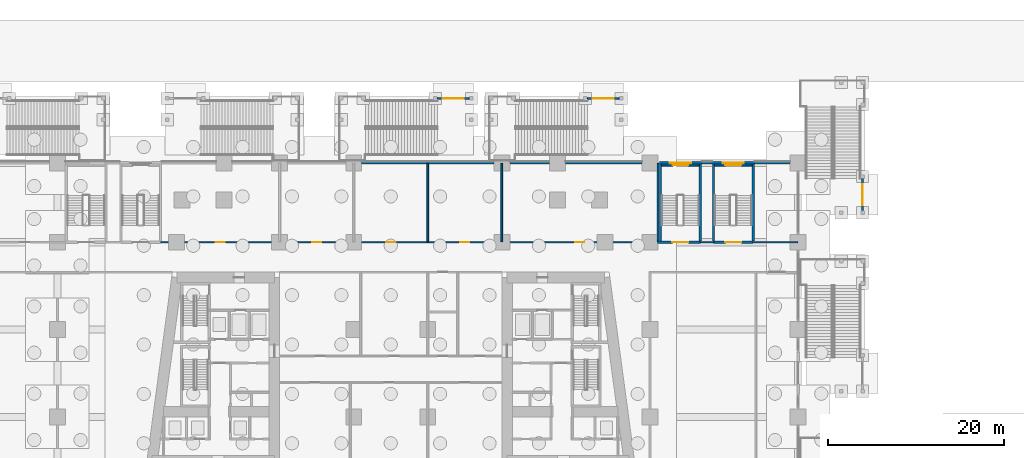
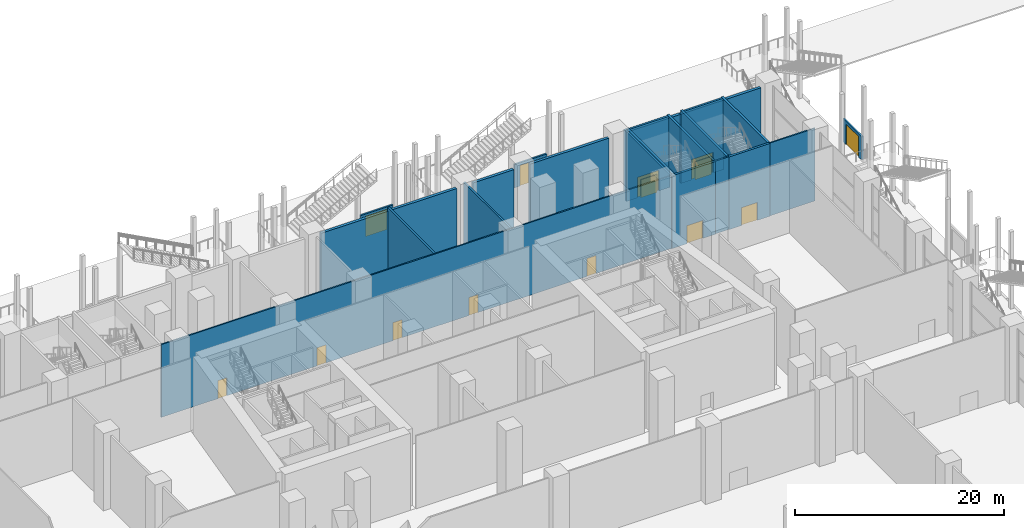
# One storey, part 50 of 72: 24 walls, 14 doors, 14 openings.
"""IFC4 building model written with IfcOpenShell, lengths in metres."""

from ifc_helpers import new_model, si_unit, direction, frame, frame_2d, origin, place, context, subcontext, project, spatial, rectangle, extrude, material, layer, layer_set, type_object, element, fill, save


model = new_model("IFC4")

# Units and contexts
model_context = context("Model", 3, precision=1e-05, world=origin(), true_north=direction((0.0, 1.0)))
body_context = subcontext(model_context, "Body", "Model", "MODEL_VIEW")
ifc_project = project(units=[si_unit("LENGTHUNIT", "METRE"), si_unit("AREAUNIT", "SQUARE_METRE"), si_unit("VOLUMEUNIT", "CUBIC_METRE"), si_unit("PLANEANGLEUNIT", "RADIAN"), si_unit("MASSUNIT", "GRAM", prefix="KILO")], contexts=[model_context])

# Site, building, storey
site_placement = place(None, origin())
site = spatial("IfcSite", under=ifc_project, at=site_placement, CompositionType="ELEMENT")
building_placement = place(site_placement, origin())
building = spatial("IfcBuilding", under=site, at=building_placement, Name="Candeia Pilgrim Tower and Theatre", CompositionType="ELEMENT")
storey_placement = place(building_placement, origin())
storey = spatial("IfcBuildingStorey", under=building, at=storey_placement, Name="L00", CompositionType="ELEMENT", Elevation=0.0)

# Walls
ifc_material_1 = material(Name="Ceramic block masonry", Category="masonry")
ifc_layer_1 = layer(ifc_material_1, 0.300048828125)
ifc_layer_set_1 = layer_set([ifc_layer_1], Name="EW1 glazing-line wall 300")
wall_type_1 = type_object("IfcWallType", Name="EW1 glazing-line wall 300", PredefinedType="SOLIDWALL", material=ifc_layer_set_1)
wall_1_placement = place(storey_placement, frame((110.10009765625, 144.800048828125, 0.0), z_axis=(0.0, 0.0, 1.0), x_axis=(1.0, 0.0, 0.0)))
element("IfcWall", 1, at=wall_1_placement, inside=storey, type_object=wall_type_1, Name="External wall L00 blind", PredefinedType="SOLIDWALL", context=body_context, shape_type="SweptSolid", body=[
    extrude(rectangle(XDim=15.0, YDim=0.300048828125, at=frame_2d((7.5, 0.0))), origin(), (0.0, 0.0, 1.0), 8.10009765625),
])
wall_2_placement = place(storey_placement, frame((126.89990234375, 144.800048828125, 0.0), z_axis=(0.0, 0.0, 1.0), x_axis=(1.0, 0.0, 0.0)))
element("IfcWall", 2, at=wall_2_placement, inside=storey, type_object=wall_type_1, Name="External wall L00 blind", PredefinedType="SOLIDWALL", context=body_context, shape_type="SweptSolid", body=[
    extrude(rectangle(XDim=4.5, YDim=0.300048828125, at=frame_2d((2.25, 0.0))), origin(), (0.0, 0.0, 1.0), 8.10009765625),
])
wall_3_placement = place(storey_placement, frame((133.199951171875, 144.800048828125, 0.0), z_axis=(0.0, 0.0, 1.0), x_axis=(1.0, 0.0, 0.0)))
element("IfcWall", 3, at=wall_3_placement, inside=storey, type_object=wall_type_1, Name="External wall L00 blind", PredefinedType="SOLIDWALL", context=body_context, shape_type="SweptSolid", body=[
    extrude(rectangle(XDim=8.699951171875, YDim=0.300048828125, at=frame_2d((4.35009765625, 0.0))), origin(), (0.0, 0.0, 1.0), 8.10009765625),
])
wall_4_placement = place(storey_placement, frame((148.64990234375, 144.800048828125, 0.0), z_axis=(0.0, 0.0, 1.0), x_axis=(1.0, 0.0, 0.0)))
element("IfcWall", 4, at=wall_4_placement, inside=storey, type_object=wall_type_1, Name="External wall L00 blind", PredefinedType="SOLIDWALL", context=body_context, shape_type="SweptSolid", body=[
    extrude(rectangle(XDim=1.2001953125, YDim=0.300048828125, at=frame_2d((0.60009765625, 0.0))), origin(), (0.0, 0.0, 1.0), 8.10009765625),
])
wall_5_placement = place(storey_placement, frame((154.64990234375, 144.800048828125, 0.0), z_axis=(0.0, 0.0, 1.0), x_axis=(1.0, 0.0, 0.0)))
element("IfcWall", 5, at=wall_5_placement, inside=storey, type_object=wall_type_1, Name="External wall L00 blind", PredefinedType="SOLIDWALL", context=body_context, shape_type="SweptSolid", body=[
    extrude(rectangle(XDim=4.050048828125, YDim=0.300048828125, at=frame_2d((2.02490234375, 0.0))), origin(), (0.0, 0.0, 1.0), 8.10009765625),
])

# Wall, opening, door
ifc_layer_2 = layer(ifc_material_1, 0.300048828125)
ifc_layer_set_2 = layer_set([ifc_layer_2], Name="EW2 entrance infill wall 300")
wall_type_2 = type_object("IfcWallType", Name="EW2 entrance infill wall 300", PredefinedType="SOLIDWALL", material=ifc_layer_set_2)
wall_6_placement = place(storey_placement, frame((143.85009765625, 144.800048828125, 0.0), z_axis=(0.0, 0.0, 1.0), x_axis=(1.0, 0.0, 0.0)))
wall_6 = element("IfcWall", 6, at=wall_6_placement, inside=storey, type_object=wall_type_2, Name="Entrance wall L00", PredefinedType="SOLIDWALL", context=body_context, shape_type="SweptSolid", body=[
    extrude(rectangle(XDim=4.7998046875, YDim=0.300048828125, at=frame_2d((2.39990234375, 0.0))), origin(), (0.0, 0.0, 1.0), 8.10009765625),
])
opening_1_placement = place(wall_6_placement, frame((1.199951171875, 0.0, 0.0)))
opening_1 = element("IfcOpeningElement", 7, at=opening_1_placement, cuts=wall_6, Name="Opening L00-ED006", PredefinedType="OPENING", context=body_context, shape_type="SweptSolid", body=[
    extrude(rectangle(XDim=2.39990234375, YDim=2.39990234375, at=frame_2d((1.199951171875, 1.199951171875))), frame((0.0, 0.16015625, 0.0), z_axis=(0.0, -1.0, 0.0), x_axis=(1.0, 0.0, 0.0)), (0.0, 0.0, 1.0), 0.320068359375),
])
ifc_material_2 = material(Name="Aluminium framed glazed door", Category="aluminium")
door_type_1 = type_object("IfcDoorType", Name="ED entrance double door 2400x2400", OperationType="DOUBLE_DOOR_DOUBLE_SWING", PredefinedType="DOOR", material=ifc_material_2)
door_1_placement = place(opening_1_placement, origin())
door_1 = element("IfcDoor", 8, at=door_1_placement, inside=storey, type_object=door_type_1, Name="Entrance door L00-ED006", OperationType="DOUBLE_DOOR_DOUBLE_SWING", OverallHeight=2.39990234375, OverallWidth=2.39990234375, PredefinedType="DOOR", context=body_context, shape_type="SweptSolid", body=[
    extrude(rectangle(XDim=2.39990234375, YDim=2.39990234375, at=frame_2d((1.199951171875, 1.199951171875))), frame((0.0, 0.02490234375, 0.0), z_axis=(0.0, -1.0, 0.0), x_axis=(1.0, 0.0, 0.0)), (0.0, 0.0, 1.0), 0.050048828125),
])
fill(opening_1, door_1)

wall_7_placement = place(storey_placement, frame((149.85009765625, 144.800048828125, 0.0), z_axis=(0.0, 0.0, 1.0), x_axis=(1.0, 0.0, 0.0)))
wall_7 = element("IfcWall", 9, at=wall_7_placement, inside=storey, type_object=wall_type_2, Name="Entrance wall L00", PredefinedType="SOLIDWALL", context=body_context, shape_type="SweptSolid", body=[
    extrude(rectangle(XDim=4.7998046875, YDim=0.300048828125, at=frame_2d((2.39990234375, 0.0))), origin(), (0.0, 0.0, 1.0), 8.10009765625),
])
opening_2_placement = place(wall_7_placement, frame((1.199951171875, 0.0, 0.0)))
opening_2 = element("IfcOpeningElement", 10, at=opening_2_placement, cuts=wall_7, Name="Opening L00-ED007", PredefinedType="OPENING", context=body_context, shape_type="SweptSolid", body=[
    extrude(rectangle(XDim=2.39990234375, YDim=2.39990234375, at=frame_2d((1.199951171875, 1.199951171875))), frame((0.0, 0.16015625, 0.0), z_axis=(0.0, -1.0, 0.0), x_axis=(1.0, 0.0, 0.0)), (0.0, 0.0, 1.0), 0.320068359375),
])
door_2_placement = place(opening_2_placement, origin())
door_2 = element("IfcDoor", 11, at=door_2_placement, inside=storey, type_object=door_type_1, Name="Entrance door L00-ED007", OperationType="DOUBLE_DOOR_DOUBLE_SWING", OverallHeight=2.39990234375, OverallWidth=2.39990234375, PredefinedType="DOOR", context=body_context, shape_type="SweptSolid", body=[
    extrude(rectangle(XDim=2.39990234375, YDim=2.39990234375, at=frame_2d((1.199951171875, 1.199951171875))), frame((0.0, 0.02490234375, 0.0), z_axis=(0.0, -1.0, 0.0), x_axis=(1.0, 0.0, 0.0)), (0.0, 0.0, 1.0), 0.050048828125),
])
fill(opening_2, door_2)

ifc_material_3 = material(Name="Concrete C35/45", Category="concrete")
ifc_layer_3 = layer(ifc_material_3, 0.199951171875)
ifc_layer_set_3 = layer_set([ifc_layer_3], Name="Escape stair gate wall 200")
wall_type_3 = type_object("IfcWallType", Name="Escape stair gate wall 200", PredefinedType="SOLIDWALL", material=ifc_layer_set_3)
wall_8_placement = place(storey_placement, frame((166.89990234375, 143.0, 0.0), z_axis=(0.0, 0.0, 1.0), x_axis=(0.0, -1.0, 0.0)))
wall_8 = element("IfcWall", 12, at=wall_8_placement, inside=storey, type_object=wall_type_3, Name="External escape stair ES2 gate wall", PredefinedType="SOLIDWALL", context=body_context, shape_type="SweptSolid", body=[
    extrude(rectangle(XDim=3.60009765625, YDim=0.199951171875, at=frame_2d((1.800048828125, 0.0))), origin(), (0.0, 0.0, 1.0), 2.699951171875),
])
opening_3_placement = place(wall_8_placement, frame((0.60009765625, 0.0, 0.0)))
opening_3 = element("IfcOpeningElement", 13, at=opening_3_placement, cuts=wall_8, Name="Opening XG-2", PredefinedType="OPENING", context=body_context, shape_type="SweptSolid", body=[
    extrude(rectangle(XDim=2.39990234375, YDim=2.39990234375, at=frame_2d((1.199951171875, 1.199951171875))), frame((0.0, 0.10986328125, 0.0), z_axis=(0.0, -1.0, 0.0), x_axis=(1.0, 0.0, 0.0)), (0.0, 0.0, 1.0), 0.219970703125),
])
door_3_placement = place(opening_3_placement, origin())
door_3 = element("IfcDoor", 14, at=door_3_placement, inside=storey, type_object=door_type_1, Name="Final exit door ES2", OperationType="DOUBLE_DOOR_DOUBLE_SWING", OverallHeight=2.39990234375, OverallWidth=2.39990234375, PredefinedType="DOOR", context=body_context, shape_type="SweptSolid", body=[
    extrude(rectangle(XDim=2.39990234375, YDim=2.39990234375, at=frame_2d((1.199951171875, 1.199951171875))), frame((0.0, 0.02490234375, 0.0), z_axis=(0.0, -1.0, 0.0), x_axis=(1.0, 0.0, 0.0)), (0.0, 0.0, 1.0), 0.050048828125),
])
fill(opening_3, door_3)

wall_9_placement = place(storey_placement, frame((118.699951171875, 152.10009765625, 0.0), z_axis=(0.0, 0.0, 1.0), x_axis=(1.0, 0.0, 0.0)))
wall_9 = element("IfcWall", 15, at=wall_9_placement, inside=storey, type_object=wall_type_3, Name="External escape stair ES6 gate wall", PredefinedType="SOLIDWALL", context=body_context, shape_type="SweptSolid", body=[
    extrude(rectangle(XDim=3.60009765625, YDim=0.199951171875, at=frame_2d((1.800048828125, 0.0))), origin(), (0.0, 0.0, 1.0), 2.699951171875),
])
opening_4_placement = place(wall_9_placement, frame((0.60009765625, 0.0, 0.0)))
opening_4 = element("IfcOpeningElement", 16, at=opening_4_placement, cuts=wall_9, Name="Opening XG-6", PredefinedType="OPENING", context=body_context, shape_type="SweptSolid", body=[
    extrude(rectangle(XDim=2.39990234375, YDim=2.39990234375, at=frame_2d((1.199951171875, 1.199951171875))), frame((0.0, 0.10986328125, 0.0), z_axis=(0.0, -1.0, 0.0), x_axis=(1.0, 0.0, 0.0)), (0.0, 0.0, 1.0), 0.219970703125),
])
door_4_placement = place(opening_4_placement, origin())
door_4 = element("IfcDoor", 17, at=door_4_placement, inside=storey, type_object=door_type_1, Name="Final exit door ES6", OperationType="DOUBLE_DOOR_DOUBLE_SWING", OverallHeight=2.39990234375, OverallWidth=2.39990234375, PredefinedType="DOOR", context=body_context, shape_type="SweptSolid", body=[
    extrude(rectangle(XDim=2.39990234375, YDim=2.39990234375, at=frame_2d((1.199951171875, 1.199951171875))), frame((0.0, 0.02490234375, 0.0), z_axis=(0.0, -1.0, 0.0), x_axis=(1.0, 0.0, 0.0)), (0.0, 0.0, 1.0), 0.050048828125),
])
fill(opening_4, door_4)

wall_10_placement = place(storey_placement, frame((135.699951171875, 152.10009765625, 0.0), z_axis=(0.0, 0.0, 1.0), x_axis=(1.0, 0.0, 0.0)))
wall_10 = element("IfcWall", 18, at=wall_10_placement, inside=storey, type_object=wall_type_3, Name="External escape stair ES7 gate wall", PredefinedType="SOLIDWALL", context=body_context, shape_type="SweptSolid", body=[
    extrude(rectangle(XDim=3.60009765625, YDim=0.199951171875, at=frame_2d((1.800048828125, 0.0))), origin(), (0.0, 0.0, 1.0), 2.699951171875),
])
opening_5_placement = place(wall_10_placement, frame((0.60009765625, 0.0, 0.0)))
opening_5 = element("IfcOpeningElement", 19, at=opening_5_placement, cuts=wall_10, Name="Opening XG-7", PredefinedType="OPENING", context=body_context, shape_type="SweptSolid", body=[
    extrude(rectangle(XDim=2.39990234375, YDim=2.39990234375, at=frame_2d((1.199951171875, 1.199951171875))), frame((0.0, 0.10986328125, 0.0), z_axis=(0.0, -1.0, 0.0), x_axis=(1.0, 0.0, 0.0)), (0.0, 0.0, 1.0), 0.219970703125),
])
door_5_placement = place(opening_5_placement, origin())
door_5 = element("IfcDoor", 20, at=door_5_placement, inside=storey, type_object=door_type_1, Name="Final exit door ES7", OperationType="DOUBLE_DOOR_DOUBLE_SWING", OverallHeight=2.39990234375, OverallWidth=2.39990234375, PredefinedType="DOOR", context=body_context, shape_type="SweptSolid", body=[
    extrude(rectangle(XDim=2.39990234375, YDim=2.39990234375, at=frame_2d((1.199951171875, 1.199951171875))), frame((0.0, 0.02490234375, 0.0), z_axis=(0.0, -1.0, 0.0), x_axis=(1.0, 0.0, 0.0)), (0.0, 0.0, 1.0), 0.050048828125),
])
fill(opening_5, door_5)

# Wall, openings, doors
ifc_material_4 = material(Name="Gypsum board partition on steel studs", Category="steel")
ifc_layer_4 = layer(ifc_material_4, 0.14990234375)
ifc_layer_set_4 = layer_set([ifc_layer_4], Name="PW-150 unit wall")
wall_type_4 = type_object("IfcWallType", Name="PW-150 unit wall", PredefinedType="PARTITIONING", material=ifc_layer_set_4)
wall_11_placement = place(storey_placement, frame((87.300048828125, 135.800048828125, 0.0), z_axis=(0.0, 0.0, 1.0), x_axis=(1.0, 0.0, 0.0)))
wall_11 = element("IfcWall", 21, at=wall_11_placement, inside=storey, type_object=wall_type_4, Name="Unit wall L00-041", PredefinedType="PARTITIONING", context=body_context, shape_type="SweptSolid", body=[
    extrude(rectangle(XDim=56.369873046875, YDim=0.14990234375, at=frame_2d((28.18505859375, 0.0))), origin(), (0.0, 0.0, 1.0), 8.5),
])
opening_6_placement = place(wall_11_placement, frame((6.25, 0.0, 0.0)))
opening_6 = element("IfcOpeningElement", 22, at=opening_6_placement, cuts=wall_11, Name="Opening L00-D023", PredefinedType="OPENING", context=body_context, shape_type="SweptSolid", body=[
    extrude(rectangle(XDim=1.0, YDim=2.10009765625, at=frame_2d((0.5, 1.050048828125))), frame((0.0, 0.0849609375, 0.0), z_axis=(0.0, -1.0, 0.0), x_axis=(1.0, 0.0, 0.0)), (0.0, 0.0, 1.0), 0.169921875),
])
opening_7_placement = place(wall_11_placement, frame((17.199951171875, 0.0, 0.0)))
opening_7 = element("IfcOpeningElement", 23, at=opening_7_placement, cuts=wall_11, Name="Opening L00-D024", PredefinedType="OPENING", context=body_context, shape_type="SweptSolid", body=[
    extrude(rectangle(XDim=1.0, YDim=2.10009765625, at=frame_2d((0.5, 1.050048828125))), frame((0.0, 0.0849609375, 0.0), z_axis=(0.0, -1.0, 0.0), x_axis=(1.0, 0.0, 0.0)), (0.0, 0.0, 1.0), 0.169921875),
])
opening_8_placement = place(wall_11_placement, frame((25.60009765625, 0.0, 0.0)))
opening_8 = element("IfcOpeningElement", 24, at=opening_8_placement, cuts=wall_11, Name="Opening L00-D025", PredefinedType="OPENING", context=body_context, shape_type="SweptSolid", body=[
    extrude(rectangle(XDim=1.0, YDim=2.10009765625, at=frame_2d((0.5, 1.050048828125))), frame((0.0, 0.0849609375, 0.0), z_axis=(0.0, -1.0, 0.0), x_axis=(1.0, 0.0, 0.0)), (0.0, 0.0, 1.0), 0.169921875),
])
opening_9_placement = place(wall_11_placement, frame((34.0, 0.0, 0.0)))
opening_9 = element("IfcOpeningElement", 25, at=opening_9_placement, cuts=wall_11, Name="Opening L00-D026", PredefinedType="OPENING", context=body_context, shape_type="SweptSolid", body=[
    extrude(rectangle(XDim=1.0, YDim=2.10009765625, at=frame_2d((0.5, 1.050048828125))), frame((0.0, 0.0849609375, 0.0), z_axis=(0.0, -1.0, 0.0), x_axis=(1.0, 0.0, 0.0)), (0.0, 0.0, 1.0), 0.169921875),
])
opening_10_placement = place(wall_11_placement, frame((47.050048828125, 0.0, 0.0)))
opening_10 = element("IfcOpeningElement", 26, at=opening_10_placement, cuts=wall_11, Name="Opening L00-D027", PredefinedType="OPENING", context=body_context, shape_type="SweptSolid", body=[
    extrude(rectangle(XDim=1.0, YDim=2.10009765625, at=frame_2d((0.5, 1.050048828125))), frame((0.0, 0.0849609375, 0.0), z_axis=(0.0, -1.0, 0.0), x_axis=(1.0, 0.0, 0.0)), (0.0, 0.0, 1.0), 0.169921875),
])
ifc_material_5 = material(Name="Steel fire door set", Category="steel")
door_type_2 = type_object("IfcDoorType", Name="D-1000-FD30S", OperationType="NOTDEFINED", PredefinedType="DOOR", material=ifc_material_5)
door_6_placement = place(opening_6_placement, origin())
door_6 = element("IfcDoor", 27, at=door_6_placement, inside=storey, type_object=door_type_2, Name="Door L00-D023", OperationType="SINGLE_SWING_LEFT", OverallHeight=2.10009765625, OverallWidth=1.0, PredefinedType="DOOR", context=body_context, shape_type="SweptSolid", body=[
    extrude(rectangle(XDim=1.0, YDim=2.10009765625, at=frame_2d((0.5, 1.050048828125))), frame((0.0, 0.02490234375, 0.0), z_axis=(0.0, -1.0, 0.0), x_axis=(1.0, 0.0, 0.0)), (0.0, 0.0, 1.0), 0.050048828125),
])
fill(opening_6, door_6)
door_7_placement = place(opening_7_placement, origin())
door_7 = element("IfcDoor", 28, at=door_7_placement, inside=storey, type_object=door_type_2, Name="Door L00-D024", OperationType="SINGLE_SWING_RIGHT", OverallHeight=2.10009765625, OverallWidth=1.0, PredefinedType="DOOR", context=body_context, shape_type="SweptSolid", body=[
    extrude(rectangle(XDim=1.0, YDim=2.10009765625, at=frame_2d((0.5, 1.050048828125))), frame((0.0, 0.02490234375, 0.0), z_axis=(0.0, -1.0, 0.0), x_axis=(1.0, 0.0, 0.0)), (0.0, 0.0, 1.0), 0.050048828125),
])
fill(opening_7, door_7)
door_8_placement = place(opening_8_placement, origin())
door_8 = element("IfcDoor", 29, at=door_8_placement, inside=storey, type_object=door_type_2, Name="Door L00-D025", OperationType="SINGLE_SWING_LEFT", OverallHeight=2.10009765625, OverallWidth=1.0, PredefinedType="DOOR", context=body_context, shape_type="SweptSolid", body=[
    extrude(rectangle(XDim=1.0, YDim=2.10009765625, at=frame_2d((0.5, 1.050048828125))), frame((0.0, 0.02490234375, 0.0), z_axis=(0.0, -1.0, 0.0), x_axis=(1.0, 0.0, 0.0)), (0.0, 0.0, 1.0), 0.050048828125),
])
fill(opening_8, door_8)
door_9_placement = place(opening_9_placement, origin())
door_9 = element("IfcDoor", 30, at=door_9_placement, inside=storey, type_object=door_type_2, Name="Door L00-D026", OperationType="SINGLE_SWING_RIGHT", OverallHeight=2.10009765625, OverallWidth=1.0, PredefinedType="DOOR", context=body_context, shape_type="SweptSolid", body=[
    extrude(rectangle(XDim=1.0, YDim=2.10009765625, at=frame_2d((0.5, 1.050048828125))), frame((0.0, 0.02490234375, 0.0), z_axis=(0.0, -1.0, 0.0), x_axis=(1.0, 0.0, 0.0)), (0.0, 0.0, 1.0), 0.050048828125),
])
fill(opening_9, door_9)
door_10_placement = place(opening_10_placement, origin())
door_10 = element("IfcDoor", 31, at=door_10_placement, inside=storey, type_object=door_type_2, Name="Door L00-D027", OperationType="SINGLE_SWING_LEFT", OverallHeight=2.10009765625, OverallWidth=1.0, PredefinedType="DOOR", context=body_context, shape_type="SweptSolid", body=[
    extrude(rectangle(XDim=1.0, YDim=2.10009765625, at=frame_2d((0.5, 1.050048828125))), frame((0.0, 0.02490234375, 0.0), z_axis=(0.0, -1.0, 0.0), x_axis=(1.0, 0.0, 0.0)), (0.0, 0.0, 1.0), 0.050048828125),
])
fill(opening_10, door_10)

# Walls
wall_12_placement = place(storey_placement, frame((148.5, 135.800048828125, 0.0), z_axis=(0.0, 0.0, 1.0), x_axis=(1.0, 0.0, 0.0)))
element("IfcWall", 32, at=wall_12_placement, inside=storey, type_object=wall_type_4, Name="Unit wall L00-042", PredefinedType="PARTITIONING", context=body_context, shape_type="SweptSolid", body=[
    extrude(rectangle(XDim=1.5, YDim=0.14990234375, at=frame_2d((0.75, 0.0))), origin(), (0.0, 0.0, 1.0), 8.5),
])
wall_13_placement = place(storey_placement, frame((154.5, 135.800048828125, 0.0), z_axis=(0.0, 0.0, 1.0), x_axis=(1.0, 0.0, 0.0)))
element("IfcWall", 33, at=wall_13_placement, inside=storey, type_object=wall_type_4, Name="Unit wall L00-043", PredefinedType="PARTITIONING", context=body_context, shape_type="SweptSolid", body=[
    extrude(rectangle(XDim=5.050048828125, YDim=0.14990234375, at=frame_2d((2.52490234375, 0.0))), origin(), (0.0, 0.0, 1.0), 8.5),
])
ifc_layer_5 = layer(ifc_material_4, 0.199951171875)
ifc_layer_set_5 = layer_set([ifc_layer_5], Name="PW-200 party wall")
wall_type_5 = type_object("IfcWallType", Name="PW-200 party wall", PredefinedType="PARTITIONING", material=ifc_layer_set_5)
for number, where, z_axis, x_axis, name in (
    (34, (117.60009765625, 135.875, 0.0), (0.0, 0.0, 1.0), (0.0, 1.0, 0.0), "Party wall L00-074"),
    (35, (126.0, 135.875, 0.0), (0.0, 0.0, 1.0), (0.0, 1.0, 0.0), "Party wall L00-076"),
    (36, (143.699951171875, 135.875, 0.0), (0.0, 0.0, 1.0), (0.0, 1.0, 0.0), "Party wall L00-095"),
):
    element("IfcWall", number, at=place(storey_placement, frame(where, z_axis=z_axis, x_axis=x_axis)), inside=storey, type_object=wall_type_5, Name=name, PredefinedType="PARTITIONING", context=body_context, shape_type="SweptSolid", body=[
        extrude(rectangle(XDim=8.875, YDim=0.199951171875, at=frame_2d((4.4375, 0.0))), origin(), (0.0, 0.0, 1.0), 8.5),
    ])

# Wall, opening, door
ifc_material_6 = material(Name="Concrete C40/50", Category="concrete")
ifc_layer_6 = layer(ifc_material_6, 0.25)
ifc_layer_set_6 = layer_set([ifc_layer_6], Name="SW-250 stair wall")
wall_type_6 = type_object("IfcWallType", Name="SW-250 stair wall", PredefinedType="PARTITIONING", material=ifc_layer_set_6)
wall_14_placement = place(storey_placement, frame((143.669921875, 135.800048828125, 0.0), z_axis=(0.0, 0.0, 1.0), x_axis=(1.0, 0.0, 0.0)))
wall_14 = element("IfcWall", 37, at=wall_14_placement, inside=storey, type_object=wall_type_6, Name="Stair wall L00-037", PredefinedType="PARTITIONING", context=body_context, shape_type="SweptSolid", body=[
    extrude(rectangle(XDim=4.830078125, YDim=0.25, at=frame_2d((2.4150390625, 0.0))), origin(), (0.0, 0.0, 1.0), 8.5),
])
opening_11_placement = place(wall_14_placement, frame((1.679931640625, 0.0, 0.0)))
opening_11 = element("IfcOpeningElement", 38, at=opening_11_placement, cuts=wall_14, Name="Opening L00-D019", PredefinedType="OPENING", context=body_context, shape_type="SweptSolid", body=[
    extrude(rectangle(XDim=1.800048828125, YDim=2.10009765625, at=frame_2d((0.89990234375, 1.050048828125))), frame((0.0, 0.135009765625, 0.0), z_axis=(0.0, -1.0, 0.0), x_axis=(1.0, 0.0, 0.0)), (0.0, 0.0, 1.0), 0.27001953125),
])
ifc_material_7 = material(Name="Steel exit door", Category="steel")
door_type_3 = type_object("IfcDoorType", Name="DX-1800-FD60", OperationType="NOTDEFINED", PredefinedType="DOOR", material=ifc_material_7)
door_11_placement = place(opening_11_placement, origin())
door_11 = element("IfcDoor", 39, at=door_11_placement, inside=storey, type_object=door_type_3, Name="Door L00-D019", OperationType="SINGLE_SWING_LEFT", OverallHeight=2.10009765625, OverallWidth=1.800048828125, PredefinedType="DOOR", context=body_context, shape_type="SweptSolid", body=[
    extrude(rectangle(XDim=1.800048828125, YDim=2.10009765625, at=frame_2d((0.89990234375, 1.050048828125))), frame((0.0, 0.02490234375, 0.0), z_axis=(0.0, -1.0, 0.0), x_axis=(1.0, 0.0, 0.0)), (0.0, 0.0, 1.0), 0.050048828125),
])
fill(opening_11, door_11)

wall_15_placement = place(storey_placement, frame((150.0, 135.800048828125, 0.0), z_axis=(0.0, 0.0, 1.0), x_axis=(1.0, 0.0, 0.0)))
wall_15 = element("IfcWall", 40, at=wall_15_placement, inside=storey, type_object=wall_type_6, Name="Stair wall L00-038", PredefinedType="PARTITIONING", context=body_context, shape_type="SweptSolid", body=[
    extrude(rectangle(XDim=4.5, YDim=0.25, at=frame_2d((2.25, 0.0))), origin(), (0.0, 0.0, 1.0), 8.5),
])
opening_12_placement = place(wall_15_placement, frame((1.35009765625, 0.0, 0.0)))
opening_12 = element("IfcOpeningElement", 41, at=opening_12_placement, cuts=wall_15, Name="Opening L00-D020", PredefinedType="OPENING", context=body_context, shape_type="SweptSolid", body=[
    extrude(rectangle(XDim=1.800048828125, YDim=2.10009765625, at=frame_2d((0.89990234375, 1.050048828125))), frame((0.0, 0.135009765625, 0.0), z_axis=(0.0, -1.0, 0.0), x_axis=(1.0, 0.0, 0.0)), (0.0, 0.0, 1.0), 0.27001953125),
])
door_12_placement = place(opening_12_placement, origin())
door_12 = element("IfcDoor", 42, at=door_12_placement, inside=storey, type_object=door_type_3, Name="Door L00-D020", OperationType="SINGLE_SWING_RIGHT", OverallHeight=2.10009765625, OverallWidth=1.800048828125, PredefinedType="DOOR", context=body_context, shape_type="SweptSolid", body=[
    extrude(rectangle(XDim=1.800048828125, YDim=2.10009765625, at=frame_2d((0.89990234375, 1.050048828125))), frame((0.0, 0.02490234375, 0.0), z_axis=(0.0, -1.0, 0.0), x_axis=(1.0, 0.0, 0.0)), (0.0, 0.0, 1.0), 0.050048828125),
])
fill(opening_12, door_12)

# Walls
for number, where, z_axis, x_axis, name in (
    (43, (144.0, 135.925048828125, 0.0), (0.0, 0.0, 1.0), (0.0, 1.0, 0.0), "Stair wall L00-096"),
    (44, (148.5, 135.925048828125, 0.0), (0.0, 0.0, 1.0), (0.0, 1.0, 0.0), "Stair wall L00-097"),
    (45, (150.0, 135.925048828125, 0.0), (0.0, 0.0, 1.0), (0.0, 1.0, 0.0), "Stair wall L00-098"),
    (46, (154.5, 135.925048828125, 0.0), (0.0, 0.0, 1.0), (0.0, 1.0, 0.0), "Stair wall L00-099"),
):
    element("IfcWall", number, at=place(storey_placement, frame(where, z_axis=z_axis, x_axis=x_axis)), inside=storey, type_object=wall_type_6, Name=name, PredefinedType="PARTITIONING", context=body_context, shape_type="SweptSolid", body=[
        extrude(rectangle(XDim=8.824951171875, YDim=0.25, at=frame_2d((4.41259765625, 0.0))), origin(), (0.0, 0.0, 1.0), 8.5),
    ])

# Wall, opening, door
wall_16_placement = place(storey_placement, frame((144.125, 144.53759765625, 0.0), z_axis=(0.0, 0.0, 1.0), x_axis=(1.0, 0.0, 0.0)))
wall_16 = element("IfcWall", 47, at=wall_16_placement, inside=storey, type_object=wall_type_6, Name="Stair back wall PS3 L00", PredefinedType="PARTITIONING", context=body_context, shape_type="SweptSolid", body=[
    extrude(rectangle(XDim=4.25, YDim=0.22509765625, at=frame_2d((2.125, 0.0))), origin(), (0.0, 0.0, 1.0), 8.5),
])
opening_13_placement = place(wall_16_placement, frame((1.22509765625, 0.0, 0.0)))
opening_13 = element("IfcOpeningElement", 48, at=opening_13_placement, cuts=wall_16, Name="Opening L00-SD3", PredefinedType="OPENING", context=body_context, shape_type="SweptSolid", body=[
    extrude(rectangle(XDim=1.800048828125, YDim=2.10009765625, at=frame_2d((0.89990234375, 1.050048828125))), frame((0.0, 0.12255859375, 0.0), z_axis=(0.0, -1.0, 0.0), x_axis=(1.0, 0.0, 0.0)), (0.0, 0.0, 1.0), 0.2451171875),
])
door_type_4 = type_object("IfcDoorType", Name="D-1800-FD60", OperationType="NOTDEFINED", PredefinedType="DOOR", material=ifc_material_5)
door_13_placement = place(opening_13_placement, origin())
door_13 = element("IfcDoor", 49, at=door_13_placement, inside=storey, type_object=door_type_4, Name="Stair discharge door PS3", OperationType="DOUBLE_DOOR_DOUBLE_SWING", OverallHeight=2.10009765625, OverallWidth=1.800048828125, PredefinedType="DOOR", context=body_context, shape_type="SweptSolid", body=[
    extrude(rectangle(XDim=1.800048828125, YDim=2.10009765625, at=frame_2d((0.89990234375, 1.050048828125))), frame((0.0, 0.02490234375, 0.0), z_axis=(0.0, -1.0, 0.0), x_axis=(1.0, 0.0, 0.0)), (0.0, 0.0, 1.0), 0.050048828125),
])
fill(opening_13, door_13)

wall_17_placement = place(storey_placement, frame((150.125, 144.53759765625, 0.0), z_axis=(0.0, 0.0, 1.0), x_axis=(1.0, 0.0, 0.0)))
wall_17 = element("IfcWall", 50, at=wall_17_placement, inside=storey, type_object=wall_type_6, Name="Stair back wall PS4 L00", PredefinedType="PARTITIONING", context=body_context, shape_type="SweptSolid", body=[
    extrude(rectangle(XDim=4.25, YDim=0.22509765625, at=frame_2d((2.125, 0.0))), origin(), (0.0, 0.0, 1.0), 8.5),
])
opening_14_placement = place(wall_17_placement, frame((1.22509765625, 0.0, 0.0)))
opening_14 = element("IfcOpeningElement", 51, at=opening_14_placement, cuts=wall_17, Name="Opening L00-SD4", PredefinedType="OPENING", context=body_context, shape_type="SweptSolid", body=[
    extrude(rectangle(XDim=1.800048828125, YDim=2.10009765625, at=frame_2d((0.89990234375, 1.050048828125))), frame((0.0, 0.12255859375, 0.0), z_axis=(0.0, -1.0, 0.0), x_axis=(1.0, 0.0, 0.0)), (0.0, 0.0, 1.0), 0.2451171875),
])
door_14_placement = place(opening_14_placement, origin())
door_14 = element("IfcDoor", 52, at=door_14_placement, inside=storey, type_object=door_type_4, Name="Stair discharge door PS4", OperationType="DOUBLE_DOOR_DOUBLE_SWING", OverallHeight=2.10009765625, OverallWidth=1.800048828125, PredefinedType="DOOR", context=body_context, shape_type="SweptSolid", body=[
    extrude(rectangle(XDim=1.800048828125, YDim=2.10009765625, at=frame_2d((0.89990234375, 1.050048828125))), frame((0.0, 0.02490234375, 0.0), z_axis=(0.0, -1.0, 0.0), x_axis=(1.0, 0.0, 0.0)), (0.0, 0.0, 1.0), 0.050048828125),
])
fill(opening_14, door_14)

save(model, "model.ifc")
